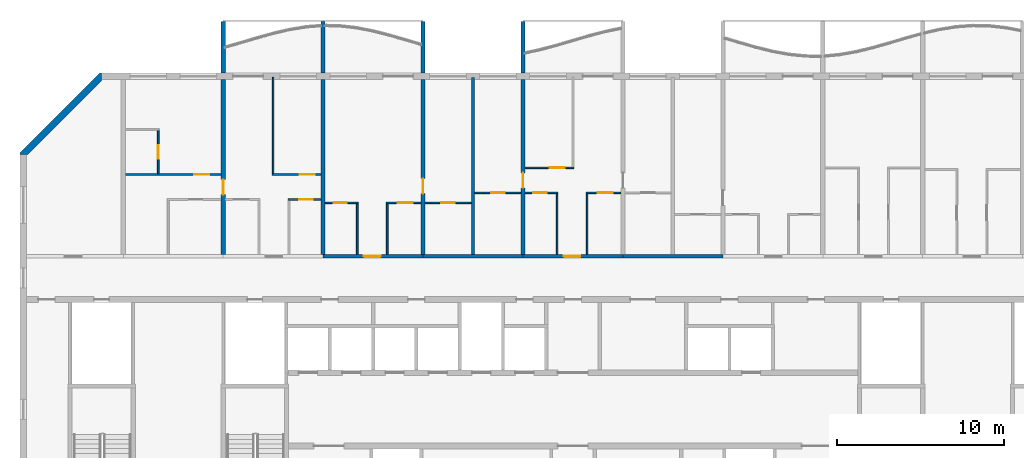
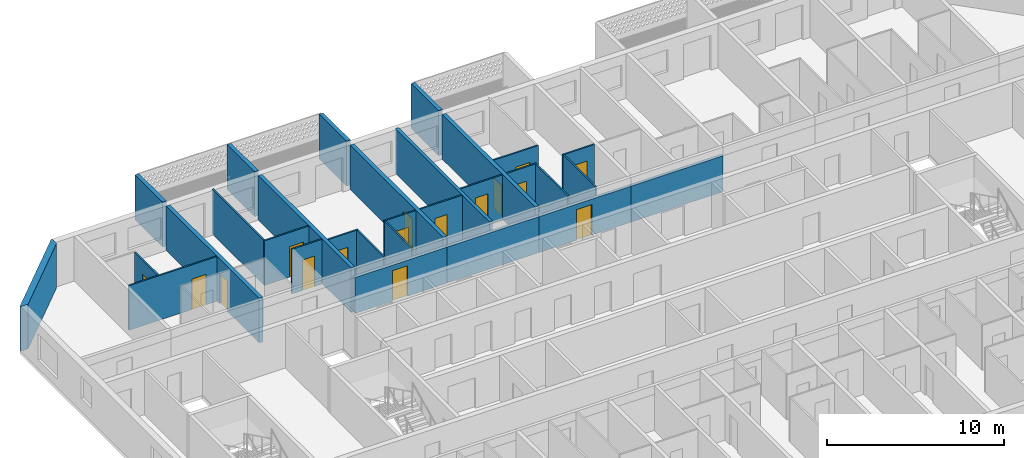
# One storey, part 8 of 26: 30 walls, 16 doors, 16 openings.
"""IFC4 building model written with IfcOpenShell, lengths in metres."""

import ifcopenshell
import ifcopenshell.guid

model = None  # the IFC model being written
_history = None  # IfcOwnerHistory: only IFC2X3 demands one
_inside = {}  # id of a spatial element -> (the spatial element, [elements in it])
_under = {}  # id of a project, library or spatial element -> (it, [spatial elements below it])
_declared = {}  # id of a project -> (the project, [libraries it declares])
_typed = {}  # id of a type object -> (the type object, [elements of that type])
_made_of = {}  # id of a material, layer set ... -> (it, [elements and type objects made of it])


def new_model(schema):
    """Start an empty IFC model of exactly this schema.

    Asked for "IFC4X3", IfcOpenShell would pick the latest addendum, in which some entities
    have other attributes; the version numbers below select the first issue.
    IFC2X3 requires an IfcOwnerHistory on every rooted entity: one is made here for all.
    """
    global model, _history
    if schema == "IFC4X3":
        model = ifcopenshell.file(schema_version=(4, 3, 0, 0))
    else:
        model = ifcopenshell.file(schema=schema)
    _inside.clear()
    _under.clear()
    _declared.clear()
    _typed.clear()
    _made_of.clear()
    _history = None
    if model.schema == "IFC2X3":
        org = make("IfcOrganization", Name="unknown")
        user = make(
            "IfcPersonAndOrganization",
            ThePerson=make("IfcPerson", FamilyName="unknown"),
            TheOrganization=org,
        )
        app = make(
            "IfcApplication",
            ApplicationDeveloper=org,
            Version="unknown",
            ApplicationFullName="unknown",
            ApplicationIdentifier="unknown",
        )
        _history = make(
            "IfcOwnerHistory",
            OwningUser=user,
            OwningApplication=app,
            ChangeAction="ADDED",
            CreationDate=0,
        )
    return model


def make(cls, **values):
    """One entity of the class cls with the attributes given. An attribute that is None is left unset."""
    return model.create_entity(
        cls, **{name: value for name, value in values.items() if value is not None}
    )


def rooted(cls, **values):
    """An entity with a GlobalId (a new one), such as an element, a storey or a relation."""
    return make(cls, GlobalId=ifcopenshell.guid.new(), OwnerHistory=_history, **values)


def si_unit(unit_type, name, prefix=None):
    """IfcSIUnit, for example si_unit("LENGTHUNIT", "METRE", prefix="MILLI")."""
    return make("IfcSIUnit", UnitType=unit_type, Prefix=prefix, Name=name)


def assignment(units):
    """IfcUnitAssignment: the units of a project."""
    return None if units is None else make("IfcUnitAssignment", Units=units)


def point(xyz):
    """IfcCartesianPoint."""
    return None if xyz is None else make("IfcCartesianPoint", Coordinates=xyz)


def direction(xyz):
    """IfcDirection."""
    return None if xyz is None else make("IfcDirection", DirectionRatios=xyz)


def frame(location, z_axis=None, x_axis=None):
    """IfcAxis2Placement3D, a coordinate frame: its origin and axes. An axis left out is left unset."""
    return make(
        "IfcAxis2Placement3D",
        Location=point(location),
        Axis=direction(z_axis),
        RefDirection=direction(x_axis),
    )


def frame_2d(location, x_axis=None):
    """IfcAxis2Placement2D, a coordinate frame in the plane: its origin and x axis."""
    return make(
        "IfcAxis2Placement2D", Location=point(location), RefDirection=direction(x_axis)
    )


def origin():
    """The frame at (0, 0, 0) with its axes left unset."""
    return frame((0.0, 0.0, 0.0))


def place(relative_to, where):
    """IfcLocalPlacement: puts the frame where relative to a parent placement (None: the world)."""
    return make(
        "IfcLocalPlacement", PlacementRelTo=relative_to, RelativePlacement=where
    )


def context(
    kind, dimensions, precision=None, world=None, true_north=None, identifier=None
):
    """IfcGeometricRepresentationContext, for example the 3D "Model" context."""
    return make(
        "IfcGeometricRepresentationContext",
        ContextIdentifier=identifier,
        ContextType=kind,
        CoordinateSpaceDimension=dimensions,
        Precision=precision,
        WorldCoordinateSystem=world,
        TrueNorth=true_north,
    )


def subcontext(parent, identifier, kind, view, scale=None):
    """IfcGeometricRepresentationSubContext, for example "Body" below "Model"."""
    return make(
        "IfcGeometricRepresentationSubContext",
        ContextIdentifier=identifier,
        ContextType=kind,
        ParentContext=parent,
        TargetScale=scale,
        TargetView=view,
    )


def project(units=None, contexts=None):
    """IfcProject with its units and contexts."""
    return rooted(
        "IfcProject",
        Name="project",
        RepresentationContexts=contexts,
        UnitsInContext=assignment(units),
    )


def spatial(cls, under=None, at=None, **own):
    """A site, building, storey or space (cls), placed at a placement, below another one or the project."""
    s = rooted(cls, ObjectPlacement=at, **own)
    if under is not None:
        _under.setdefault(under.id(), (under, []))[1].append(s)
    return s


def polyline(points):
    """IfcPolyline through the points."""
    return make("IfcPolyline", Points=[point(p) for p in points])


def profile(cls, at=None, kind="AREA", **sizes):
    """A parametric profile (cls). Its sizes go by their IFC names, for example OverallWidth=200.0."""
    return make(cls, ProfileType=kind, Position=at, **sizes)


def rectangle(**sizes):
    """IfcRectangleProfileDef."""
    return profile("IfcRectangleProfileDef", **sizes)


def outline(outer, holes=None, kind="AREA"):
    """IfcArbitraryClosedProfileDef: a profile drawn as a closed curve; with holes, ...WithVoids."""
    if holes is None:
        return make("IfcArbitraryClosedProfileDef", ProfileType=kind, OuterCurve=outer)
    return make(
        "IfcArbitraryProfileDefWithVoids",
        ProfileType=kind,
        OuterCurve=outer,
        InnerCurves=holes,
    )


def extrude(swept, where, along, depth):
    """IfcExtrudedAreaSolid: the profile swept, set in the frame where, extruded along a direction by depth."""
    return make(
        "IfcExtrudedAreaSolid",
        SweptArea=swept,
        Position=where,
        ExtrudedDirection=direction(along),
        Depth=depth,
    )


def shape(context_of_items, identifier, shape_type, items):
    """IfcShapeRepresentation: the items that make up one representation, for example the "Body"."""
    return make(
        "IfcShapeRepresentation",
        ContextOfItems=context_of_items,
        RepresentationIdentifier=identifier,
        RepresentationType=shape_type,
        Items=items,
    )


def source(mapping_origin, context_of_items, identifier, shape_type, items):
    """IfcRepresentationMap: a shape defined once, which mapped items show again and again."""
    return make(
        "IfcRepresentationMap",
        MappingOrigin=mapping_origin,
        MappedRepresentation=shape(context_of_items, identifier, shape_type, items),
    )


def transform(
    local_origin,
    x_axis=None,
    y_axis=None,
    z_axis=None,
    scale=None,
    scale2=None,
    scale3=None,
    uniform=True,
):
    """IfcCartesianTransformationOperator3D, or its non-uniform kind. x_axis, y_axis, z_axis: its Axis1, 2, 3."""
    if uniform:
        return make(
            "IfcCartesianTransformationOperator3D",
            Axis1=direction(x_axis),
            Axis2=direction(y_axis),
            LocalOrigin=point(local_origin),
            Scale=scale,
            Axis3=direction(z_axis),
        )
    return make(
        "IfcCartesianTransformationOperator3DnonUniform",
        Axis1=direction(x_axis),
        Axis2=direction(y_axis),
        LocalOrigin=point(local_origin),
        Scale=scale,
        Axis3=direction(z_axis),
        Scale2=scale2,
        Scale3=scale3,
    )


def mapped(mapping_source, mapping_target):
    """IfcMappedItem: shows the shape of a source again, moved by a transform."""
    return make(
        "IfcMappedItem", MappingSource=mapping_source, MappingTarget=mapping_target
    )


def material(Name=None, Category=None):
    """IfcMaterial."""
    return make("IfcMaterial", Name=Name, Category=Category)


def layer(
    of_material, thickness, ventilated=None, Name=None, Category=None, Priority=None
):
    """IfcMaterialLayer: one layer of a wall or slab, of a material (None: an air gap)."""
    return make(
        "IfcMaterialLayer",
        Material=of_material,
        LayerThickness=thickness,
        IsVentilated=ventilated,
        Name=Name,
        Category=Category,
        Priority=Priority,
    )


def layer_set(layers, Name=None):
    """IfcMaterialLayerSet."""
    return make("IfcMaterialLayerSet", MaterialLayers=layers, LayerSetName=Name)


def made_of(thing, what):
    """Note that an element or type object is made of a material, layer set ...; save() writes the relation."""
    if what is not None:
        _made_of.setdefault(what.id(), (what, []))[1].append(thing)
    return thing


def type_object(cls, material=None, **own):
    """A type object (cls), such as IfcWallType, which elements share."""
    return made_of(rooted(cls, **own), material)


def element(
    cls,
    number,
    at=None,
    inside=None,
    cuts=None,
    type_object=None,
    material=None,
    context=None,
    identifier="Body",
    shape_type=None,
    held_by="IfcProductDefinitionShape",
    body=None,
    shapes=None,
    **own,
):
    """One element of the class cls, such as IfcWall. Its Tag is "e" and its number.

    at: its placement. inside: the storey or other place that contains it. cuts: it is an
    opening in that element (IfcRelVoidsElement). A single representation is given by context,
    identifier, shape_type and body (its items); several are given by shapes. held_by: the class
    of the entity that holds the representations. save() writes the other relations.
    """
    e = rooted(cls, Tag="e%d" % number, ObjectPlacement=at, **own)
    if body is not None:
        shapes = [shape(context, identifier, shape_type, body)]
    if shapes is not None:
        e.Representation = make(held_by, Representations=shapes)
    if inside is not None:
        _inside.setdefault(inside.id(), (inside, []))[1].append(e)
    if cuts is not None:
        rooted(
            "IfcRelVoidsElement", RelatingBuildingElement=cuts, RelatedOpeningElement=e
        )
    if type_object is not None:
        _typed.setdefault(type_object.id(), (type_object, []))[1].append(e)
    return made_of(e, material)


def fill(opening, filler):
    """IfcRelFillsElement: the door or window that sits in an opening."""
    return rooted(
        "IfcRelFillsElement",
        RelatingOpeningElement=opening,
        RelatedBuildingElement=filler,
    )


def aggregate(whole, parts):
    """IfcRelAggregates: a whole, such as a stair, and the parts it consists of."""
    return rooted("IfcRelAggregates", RelatingObject=whole, RelatedObjects=parts)


def save(model, path):
    """Write the relations noted so far, then the file.

    IfcRelAggregates (storeys below a building ...), IfcRelContainedInSpatialStructure (elements
    in a storey), IfcRelDefinesByType, IfcRelAssociatesMaterial and IfcRelDeclares: one each for
    every whole, place, type object, material and project.
    """
    for whole, parts in _under.values():
        aggregate(whole, parts)
    for where, things in _inside.values():
        rooted(
            "IfcRelContainedInSpatialStructure",
            RelatedElements=things,
            RelatingStructure=where,
        )
    for kind, things in _typed.values():
        rooted("IfcRelDefinesByType", RelatedObjects=things, RelatingType=kind)
    for what, things in _made_of.values():
        rooted("IfcRelAssociatesMaterial", RelatedObjects=things, RelatingMaterial=what)
    for by, libraries in _declared.values():
        rooted("IfcRelDeclares", RelatingContext=by, RelatedDefinitions=libraries)
    model.write(path)


model = new_model("IFC4")

# Units and contexts
model_context = context("Model", 3, precision=1e-05, world=origin(), true_north=direction((0.0, 1.0)))
body_context = subcontext(model_context, "Body", "Model", "MODEL_VIEW")
ifc_project = project(units=[si_unit("LENGTHUNIT", "METRE"), si_unit("AREAUNIT", "SQUARE_METRE"), si_unit("VOLUMEUNIT", "CUBIC_METRE"), si_unit("PLANEANGLEUNIT", "RADIAN"), si_unit("MASSUNIT", "GRAM", prefix="KILO")], contexts=[model_context])

# Site, building, storey
site_placement = place(None, origin())
site = spatial("IfcSite", under=ifc_project, at=site_placement, CompositionType="ELEMENT")
building_placement = place(site_placement, origin())
building = spatial("IfcBuilding", under=site, at=building_placement, Name="Poui Terraces", CompositionType="ELEMENT")
storey_placement = place(building_placement, frame((0.0, 0.0, 228.0)))
storey = spatial("IfcBuildingStorey", under=building, at=storey_placement, Name="L63", CompositionType="ELEMENT", Elevation=228.0)

# Wall, opening, door
ifc_material_1 = material(Name="Concrete 50 MPa", Category="concrete")
ifc_layer_1 = layer(ifc_material_1, 0.199951171875)
ifc_layer_set_1 = layer_set([ifc_layer_1], Name="Concrete 50 MPa")
wall_type_1 = type_object("IfcWallType", Name="CORRIDOR WALL 200 50MPa", PredefinedType="SHEAR", material=ifc_layer_set_1)
wall_1_placement = place(storey_placement, frame((36.0, 30.39990234375, 0.0), z_axis=(0.0, 0.0, 1.0), x_axis=(1.0, 0.0, 0.0)))
wall_1 = element("IfcWall", 1, at=wall_1_placement, inside=storey, type_object=wall_type_1, Name="CORRIDOR WALL LINE E BAY 4", PredefinedType="SHEAR", context=body_context, shape_type="SweptSolid", body=[
    extrude(rectangle(XDim=6.0, YDim=0.199951171875, at=frame_2d((3.0, 0.0))), origin(), (0.0, 0.0, 1.0), 2.47998046875),
])
opening_1_placement = place(wall_1_placement, frame((2.449951171875, 0.0, 0.0)))
opening_1 = element("IfcOpeningElement", 2, at=opening_1_placement, cuts=wall_1, Name="Opening FD30S", PredefinedType="OPENING", context=body_context, shape_type="SweptSolid", body=[
    extrude(rectangle(XDim=1.0, YDim=2.10009765625, at=frame_2d((0.5, 1.050048828125))), frame((0.0, 0.10986328125, 0.0), z_axis=(0.0, -1.0, 0.0), x_axis=(1.0, 0.0, 0.0)), (0.0, 0.0, 1.0), 0.219970703125),
])
ifc_material_2 = material(Name="Steel fire door", Category="steel")
door_type_1 = type_object("IfcDoorType", Name="FLAT ENTRANCE DOOR 1000 X 2100", OperationType="NOTDEFINED", PredefinedType="DOOR", material=ifc_material_2)
door_1_placement = place(opening_1_placement, origin())
door_1 = element("IfcDoor", 3, at=door_1_placement, inside=storey, type_object=door_type_1, Name="FLAT ENTRANCE DOOR 035", OperationType="SINGLE_SWING_LEFT", OverallHeight=2.10009765625, OverallWidth=1.0, PredefinedType="DOOR", context=body_context, shape_type="SweptSolid", body=[
    extrude(rectangle(XDim=1.0, YDim=2.10009765625, at=frame_2d((0.5, 1.050048828125))), frame((0.0, 0.02490234375, 0.0), z_axis=(0.0, -1.0, 0.0), x_axis=(1.0, 0.0, 0.0)), (0.0, 0.0, 1.0), 0.050048828125),
])
fill(opening_1, door_1)

# Wall
wall_2_placement = place(storey_placement, frame((42.0, 30.39990234375, 0.0), z_axis=(0.0, 0.0, 1.0), x_axis=(1.0, 0.0, 0.0)))
element("IfcWall", 4, at=wall_2_placement, inside=storey, type_object=wall_type_1, Name="CORRIDOR WALL LINE E BAY 5", PredefinedType="SHEAR", context=body_context, shape_type="SweptSolid", body=[
    extrude(rectangle(XDim=6.0, YDim=0.199951171875, at=frame_2d((3.0, 0.0))), origin(), (0.0, 0.0, 1.0), 2.47998046875),
])

# Wall, opening, door
wall_3_placement = place(storey_placement, frame((48.0, 30.39990234375, 0.0), z_axis=(0.0, 0.0, 1.0), x_axis=(1.0, 0.0, 0.0)))
wall_3 = element("IfcWall", 5, at=wall_3_placement, inside=storey, type_object=wall_type_1, Name="CORRIDOR WALL LINE E BAY 6", PredefinedType="SHEAR", context=body_context, shape_type="SweptSolid", body=[
    extrude(rectangle(XDim=6.0, YDim=0.199951171875, at=frame_2d((3.0, 0.0))), origin(), (0.0, 0.0, 1.0), 2.47998046875),
])
opening_2_placement = place(wall_3_placement, frame((2.449951171875, 0.0, 0.0)))
opening_2 = element("IfcOpeningElement", 6, at=opening_2_placement, cuts=wall_3, Name="Opening FD30S", PredefinedType="OPENING", context=body_context, shape_type="SweptSolid", body=[
    extrude(rectangle(XDim=1.0, YDim=2.10009765625, at=frame_2d((0.5, 1.050048828125))), frame((0.0, 0.10986328125, 0.0), z_axis=(0.0, -1.0, 0.0), x_axis=(1.0, 0.0, 0.0)), (0.0, 0.0, 1.0), 0.219970703125),
])
door_2_placement = place(opening_2_placement, origin())
door_2 = element("IfcDoor", 7, at=door_2_placement, inside=storey, type_object=door_type_1, Name="FLAT ENTRANCE DOOR 043", OperationType="SINGLE_SWING_LEFT", OverallHeight=2.10009765625, OverallWidth=1.0, PredefinedType="DOOR", context=body_context, shape_type="SweptSolid", body=[
    extrude(rectangle(XDim=1.0, YDim=2.10009765625, at=frame_2d((0.5, 1.050048828125))), frame((0.0, 0.02490234375, 0.0), z_axis=(0.0, -1.0, 0.0), x_axis=(1.0, 0.0, 0.0)), (0.0, 0.0, 1.0), 0.050048828125),
])
fill(opening_2, door_2)

# Wall
wall_4_placement = place(storey_placement, frame((54.0, 30.39990234375, 0.0), z_axis=(0.0, 0.0, 1.0), x_axis=(1.0, 0.0, 0.0)))
element("IfcWall", 8, at=wall_4_placement, inside=storey, type_object=wall_type_1, Name="CORRIDOR WALL LINE E BAY 7", PredefinedType="SHEAR", context=body_context, shape_type="SweptSolid", body=[
    extrude(rectangle(XDim=6.0, YDim=0.199951171875, at=frame_2d((3.0, 0.0))), origin(), (0.0, 0.0, 1.0), 2.47998046875),
])

# Wall, opening, door
ifc_layer_2 = layer(ifc_material_1, 0.25)
ifc_layer_set_2 = layer_set([ifc_layer_2], Name="Concrete 50 MPa")
wall_type_2 = type_object("IfcWallType", Name="CROSS WALL 250 50MPa", PredefinedType="SHEAR", material=ifc_layer_set_2)
wall_5_placement = place(storey_placement, frame((30.0, 30.5, 0.0), z_axis=(0.0, 0.0, 1.0), x_axis=(0.0, 1.0, 0.0)))
wall_5 = element("IfcWall", 9, at=wall_5_placement, inside=storey, type_object=wall_type_2, Name="CROSS WALL LINE 6 NORTH", PredefinedType="SHEAR", context=body_context, shape_type="SweptSolid", body=[
    extrude(rectangle(XDim=10.5, YDim=0.25, at=frame_2d((5.25, 0.0))), origin(), (0.0, 0.0, 1.0), 3.080078125),
])
opening_3_placement = place(wall_5_placement, frame((3.60009765625, 0.0, 0.0)))
opening_3 = element("IfcOpeningElement", 10, at=opening_3_placement, cuts=wall_5, Name="Opening D90", PredefinedType="OPENING", context=body_context, shape_type="SweptSolid", body=[
    extrude(rectangle(XDim=0.89990234375, YDim=2.10009765625, at=frame_2d((0.449951171875, 1.050048828125))), frame((0.0, 0.135009765625, 0.0), z_axis=(0.0, -1.0, 0.0), x_axis=(1.0, 0.0, 0.0)), (0.0, 0.0, 1.0), 0.27001953125),
])
ifc_material_3 = material(Name="Solid core timber door", Category="wood")
door_type_2 = type_object("IfcDoorType", Name="INTERNAL DOOR 900 X 2100", OperationType="NOTDEFINED", PredefinedType="DOOR", material=ifc_material_3)
door_3_placement = place(opening_3_placement, frame((0.89990234375, 0.0, 0.0), z_axis=(0.0, 0.0, 1.0), x_axis=(-1.0, 0.0, 0.0)))
door_3 = element("IfcDoor", 11, at=door_3_placement, inside=storey, type_object=door_type_2, Name="INTERNAL DOOR 027", OperationType="SINGLE_SWING_RIGHT", OverallHeight=2.10009765625, OverallWidth=0.89990234375, PredefinedType="DOOR", context=body_context, shape_type="SweptSolid", body=[
    extrude(rectangle(XDim=0.89990234375, YDim=2.10009765625, at=frame_2d((0.449951171875, 1.050048828125))), frame((0.0, 0.02490234375, 0.0), z_axis=(0.0, -1.0, 0.0), x_axis=(1.0, 0.0, 0.0)), (0.0, 0.0, 1.0), 0.050048828125),
])
fill(opening_3, door_3)

# Wall
wall_6_placement = place(storey_placement, frame((36.0, 30.5, 0.0), z_axis=(0.0, 0.0, 1.0), x_axis=(0.0, 1.0, 0.0)))
element("IfcWall", 12, at=wall_6_placement, inside=storey, type_object=wall_type_2, Name="CROSS WALL LINE 7 NORTH", PredefinedType="SHEAR", context=body_context, shape_type="SweptSolid", body=[
    extrude(rectangle(XDim=10.5, YDim=0.25, at=frame_2d((5.25, 0.0))), origin(), (0.0, 0.0, 1.0), 3.080078125),
])

# Wall, opening, door
wall_7_placement = place(storey_placement, frame((42.0, 30.5, 0.0), z_axis=(0.0, 0.0, 1.0), x_axis=(0.0, 1.0, 0.0)))
wall_7 = element("IfcWall", 13, at=wall_7_placement, inside=storey, type_object=wall_type_2, Name="CROSS WALL LINE 8 NORTH", PredefinedType="SHEAR", context=body_context, shape_type="SweptSolid", body=[
    extrude(rectangle(XDim=10.5, YDim=0.25, at=frame_2d((5.25, 0.0))), origin(), (0.0, 0.0, 1.0), 3.080078125),
])
opening_4_placement = place(wall_7_placement, frame((3.64990234375, 0.0, 0.0)))
opening_4 = element("IfcOpeningElement", 14, at=opening_4_placement, cuts=wall_7, Name="Opening D90", PredefinedType="OPENING", context=body_context, shape_type="SweptSolid", body=[
    extrude(rectangle(XDim=0.89990234375, YDim=2.10009765625, at=frame_2d((0.449951171875, 1.050048828125))), frame((0.0, 0.135009765625, 0.0), z_axis=(0.0, -1.0, 0.0), x_axis=(1.0, 0.0, 0.0)), (0.0, 0.0, 1.0), 0.27001953125),
])
door_4_placement = place(opening_4_placement, frame((0.89990234375, 0.0, 0.0), z_axis=(0.0, 0.0, 1.0), x_axis=(-1.0, 0.0, 0.0)))
door_4 = element("IfcDoor", 15, at=door_4_placement, inside=storey, type_object=door_type_2, Name="INTERNAL DOOR 037", OperationType="SINGLE_SWING_RIGHT", OverallHeight=2.10009765625, OverallWidth=0.89990234375, PredefinedType="DOOR", context=body_context, shape_type="SweptSolid", body=[
    extrude(rectangle(XDim=0.89990234375, YDim=2.10009765625, at=frame_2d((0.449951171875, 1.050048828125))), frame((0.0, 0.02490234375, 0.0), z_axis=(0.0, -1.0, 0.0), x_axis=(1.0, 0.0, 0.0)), (0.0, 0.0, 1.0), 0.050048828125),
])
fill(opening_4, door_4)

wall_8_placement = place(storey_placement, frame((48.0, 30.5, 0.0), z_axis=(0.0, 0.0, 1.0), x_axis=(0.0, 1.0, 0.0)))
wall_8 = element("IfcWall", 16, at=wall_8_placement, inside=storey, type_object=wall_type_2, Name="CROSS WALL LINE 9 NORTH", PredefinedType="SHEAR", context=body_context, shape_type="SweptSolid", body=[
    extrude(rectangle(XDim=10.5, YDim=0.25, at=frame_2d((5.25, 0.0))), origin(), (0.0, 0.0, 1.0), 3.080078125),
])
opening_5_placement = place(wall_8_placement, frame((4.0, 0.0, 0.0)))
opening_5 = element("IfcOpeningElement", 17, at=opening_5_placement, cuts=wall_8, Name="Opening D90", PredefinedType="OPENING", context=body_context, shape_type="SweptSolid", body=[
    extrude(rectangle(XDim=0.89990234375, YDim=2.10009765625, at=frame_2d((0.449951171875, 1.050048828125))), frame((0.0, 0.135009765625, 0.0), z_axis=(0.0, -1.0, 0.0), x_axis=(1.0, 0.0, 0.0)), (0.0, 0.0, 1.0), 0.27001953125),
])
door_5_placement = place(opening_5_placement, origin())
door_5 = element("IfcDoor", 18, at=door_5_placement, inside=storey, type_object=door_type_2, Name="INTERNAL DOOR 040", OperationType="SINGLE_SWING_LEFT", OverallHeight=2.10009765625, OverallWidth=0.89990234375, PredefinedType="DOOR", context=body_context, shape_type="SweptSolid", body=[
    extrude(rectangle(XDim=0.89990234375, YDim=2.10009765625, at=frame_2d((0.449951171875, 1.050048828125))), frame((0.0, 0.02490234375, 0.0), z_axis=(0.0, -1.0, 0.0), x_axis=(1.0, 0.0, 0.0)), (0.0, 0.0, 1.0), 0.050048828125),
])
fill(opening_5, door_5)

ifc_material_4 = material(Name="Plasterboard partition")
ifc_layer_3 = layer(ifc_material_4, 0.10009765625)
ifc_layer_set_3 = layer_set([ifc_layer_3], Name="Plasterboard partition")
wall_type_3 = type_object("IfcWallType", Name="FLAT PARTITION 100", PredefinedType="PARTITIONING", material=ifc_layer_set_3)
wall_9_placement = place(storey_placement, frame((36.135009765625, 33.60009765625, 0.0), z_axis=(0.0, 0.0, 1.0), x_axis=(1.0, 0.0, 0.0)))
wall_9 = element("IfcWall", 19, at=wall_9_placement, inside=storey, type_object=wall_type_3, Name="FLAT PARTITION 100", PredefinedType="PARTITIONING", context=body_context, shape_type="SweptSolid", body=[
    extrude(rectangle(XDim=1.965087890625, YDim=0.10009765625, at=frame_2d((0.982421875, 0.0))), origin(), (0.0, 0.0, 1.0), 3.080078125),
])
opening_6_placement = place(wall_9_placement, frame((0.489990234375, 0.0, 0.0)))
opening_6 = element("IfcOpeningElement", 20, at=opening_6_placement, cuts=wall_9, Name="Opening D80", PredefinedType="OPENING", context=body_context, shape_type="SweptSolid", body=[
    extrude(rectangle(XDim=0.800048828125, YDim=2.10009765625, at=frame_2d((0.39990234375, 1.050048828125))), frame((0.0, 0.06005859375, 0.0), z_axis=(0.0, -1.0, 0.0), x_axis=(1.0, 0.0, 0.0)), (0.0, 0.0, 1.0), 0.1201171875),
])
door_type_3 = type_object("IfcDoorType", Name="BATHROOM, LAUNDRY AND STORE DOOR 800 X 2100", OperationType="NOTDEFINED", PredefinedType="DOOR", material=ifc_material_3)
door_6_placement = place(opening_6_placement, frame((0.800048828125, 0.0, 0.0), z_axis=(0.0, 0.0, 1.0), x_axis=(-1.0, 0.0, 0.0)))
door_6 = element("IfcDoor", 21, at=door_6_placement, inside=storey, type_object=door_type_3, Name="BATHROOM, LAUNDRY AND STORE DOOR 034", OperationType="SINGLE_SWING_LEFT", OverallHeight=2.10009765625, OverallWidth=0.800048828125, PredefinedType="DOOR", context=body_context, shape_type="SweptSolid", body=[
    extrude(rectangle(XDim=0.800048828125, YDim=2.10009765625, at=frame_2d((0.39990234375, 1.050048828125))), frame((0.0, 0.02490234375, 0.0), z_axis=(0.0, -1.0, 0.0), x_axis=(1.0, 0.0, 0.0)), (0.0, 0.0, 1.0), 0.050048828125),
])
fill(opening_6, door_6)

wall_10_placement = place(storey_placement, frame((39.800048828125, 33.60009765625, 0.0), z_axis=(0.0, 0.0, 1.0), x_axis=(1.0, 0.0, 0.0)))
wall_10 = element("IfcWall", 22, at=wall_10_placement, inside=storey, type_object=wall_type_3, Name="FLAT PARTITION 100", PredefinedType="PARTITIONING", context=body_context, shape_type="SweptSolid", body=[
    extrude(rectangle(XDim=2.06494140625, YDim=0.10009765625, at=frame_2d((1.032470703125, 0.0))), origin(), (0.0, 0.0, 1.0), 3.080078125),
])
opening_7_placement = place(wall_10_placement, frame((0.675048828125, 0.0, 0.0)))
opening_7 = element("IfcOpeningElement", 23, at=opening_7_placement, cuts=wall_10, Name="Opening D90", PredefinedType="OPENING", context=body_context, shape_type="SweptSolid", body=[
    extrude(rectangle(XDim=0.89990234375, YDim=2.10009765625, at=frame_2d((0.449951171875, 1.050048828125))), frame((0.0, 0.06005859375, 0.0), z_axis=(0.0, -1.0, 0.0), x_axis=(1.0, 0.0, 0.0)), (0.0, 0.0, 1.0), 0.1201171875),
])
door_7_placement = place(opening_7_placement, frame((0.89990234375, 0.0, 0.0), z_axis=(0.0, 0.0, 1.0), x_axis=(-1.0, 0.0, 0.0)))
door_7 = element("IfcDoor", 24, at=door_7_placement, inside=storey, type_object=door_type_2, Name="INTERNAL DOOR 036", OperationType="SINGLE_SWING_RIGHT", OverallHeight=2.10009765625, OverallWidth=0.89990234375, PredefinedType="DOOR", context=body_context, shape_type="SweptSolid", body=[
    extrude(rectangle(XDim=0.89990234375, YDim=2.10009765625, at=frame_2d((0.449951171875, 1.050048828125))), frame((0.0, 0.02490234375, 0.0), z_axis=(0.0, -1.0, 0.0), x_axis=(1.0, 0.0, 0.0)), (0.0, 0.0, 1.0), 0.050048828125),
])
fill(opening_7, door_7)

wall_11_placement = place(storey_placement, frame((42.135009765625, 33.60009765625, 0.0), z_axis=(0.0, 0.0, 1.0), x_axis=(1.0, 0.0, 0.0)))
wall_11 = element("IfcWall", 25, at=wall_11_placement, inside=storey, type_object=wall_type_3, Name="FLAT PARTITION 100", PredefinedType="PARTITIONING", context=body_context, shape_type="SweptSolid", body=[
    extrude(rectangle(XDim=2.764892578125, YDim=0.10009765625, at=frame_2d((1.38232421875, 0.0))), origin(), (0.0, 0.0, 1.0), 3.080078125),
])
opening_8_placement = place(wall_11_placement, frame((0.965087890625, 0.0, 0.0)))
opening_8 = element("IfcOpeningElement", 26, at=opening_8_placement, cuts=wall_11, Name="Opening D80", PredefinedType="OPENING", context=body_context, shape_type="SweptSolid", body=[
    extrude(rectangle(XDim=0.800048828125, YDim=2.10009765625, at=frame_2d((0.39990234375, 1.050048828125))), frame((0.0, 0.06005859375, 0.0), z_axis=(0.0, -1.0, 0.0), x_axis=(1.0, 0.0, 0.0)), (0.0, 0.0, 1.0), 0.1201171875),
])
door_8_placement = place(opening_8_placement, frame((0.800048828125, 0.0, 0.0), z_axis=(0.0, 0.0, 1.0), x_axis=(-1.0, 0.0, 0.0)))
door_8 = element("IfcDoor", 27, at=door_8_placement, inside=storey, type_object=door_type_3, Name="BATHROOM, LAUNDRY AND STORE DOOR 033", OperationType="SINGLE_SWING_RIGHT", OverallHeight=2.10009765625, OverallWidth=0.800048828125, PredefinedType="DOOR", context=body_context, shape_type="SweptSolid", body=[
    extrude(rectangle(XDim=0.800048828125, YDim=2.10009765625, at=frame_2d((0.39990234375, 1.050048828125))), frame((0.0, 0.02490234375, 0.0), z_axis=(0.0, -1.0, 0.0), x_axis=(1.0, 0.0, 0.0)), (0.0, 0.0, 1.0), 0.050048828125),
])
fill(opening_8, door_8)

wall_12_placement = place(storey_placement, frame((33.89990234375, 33.800048828125, 0.0), z_axis=(0.0, 0.0, 1.0), x_axis=(1.0, 0.0, 0.0)))
wall_12 = element("IfcWall", 28, at=wall_12_placement, inside=storey, type_object=wall_type_3, Name="FLAT PARTITION 100", PredefinedType="PARTITIONING", context=body_context, shape_type="SweptSolid", body=[
    extrude(rectangle(XDim=1.965087890625, YDim=0.10009765625, at=frame_2d((0.982421875, 0.0))), origin(), (0.0, 0.0, 1.0), 3.080078125),
])
opening_9_placement = place(wall_12_placement, frame((0.675048828125, 0.0, 0.0)))
opening_9 = element("IfcOpeningElement", 29, at=opening_9_placement, cuts=wall_12, Name="Opening D80", PredefinedType="OPENING", context=body_context, shape_type="SweptSolid", body=[
    extrude(rectangle(XDim=0.800048828125, YDim=2.10009765625, at=frame_2d((0.39990234375, 1.050048828125))), frame((0.0, 0.06005859375, 0.0), z_axis=(0.0, -1.0, 0.0), x_axis=(1.0, 0.0, 0.0)), (0.0, 0.0, 1.0), 0.1201171875),
])
door_9_placement = place(opening_9_placement, frame((0.800048828125, 0.0, 0.0), z_axis=(0.0, 0.0, 1.0), x_axis=(-1.0, 0.0, 0.0)))
door_9 = element("IfcDoor", 30, at=door_9_placement, inside=storey, type_object=door_type_3, Name="BATHROOM, LAUNDRY AND STORE DOOR 030", OperationType="SINGLE_SWING_LEFT", OverallHeight=2.10009765625, OverallWidth=0.800048828125, PredefinedType="DOOR", context=body_context, shape_type="SweptSolid", body=[
    extrude(rectangle(XDim=0.800048828125, YDim=2.10009765625, at=frame_2d((0.39990234375, 1.050048828125))), frame((0.0, 0.02490234375, 0.0), z_axis=(0.0, -1.0, 0.0), x_axis=(1.0, 0.0, 0.0)), (0.0, 0.0, 1.0), 0.050048828125),
])
fill(opening_9, door_9)

wall_13_placement = place(storey_placement, frame((45.10009765625, 34.199951171875, 0.0), z_axis=(0.0, 0.0, 1.0), x_axis=(1.0, 0.0, 0.0)))
wall_13 = element("IfcWall", 31, at=wall_13_placement, inside=storey, type_object=wall_type_3, Name="FLAT PARTITION 100", PredefinedType="PARTITIONING", context=body_context, shape_type="SweptSolid", body=[
    extrude(rectangle(XDim=2.764892578125, YDim=0.10009765625, at=frame_2d((1.38232421875, 0.0))), origin(), (0.0, 0.0, 1.0), 3.080078125),
])
opening_10_placement = place(wall_13_placement, frame((1.0, 0.0, 0.0)))
opening_10 = element("IfcOpeningElement", 32, at=opening_10_placement, cuts=wall_13, Name="Opening D80", PredefinedType="OPENING", context=body_context, shape_type="SweptSolid", body=[
    extrude(rectangle(XDim=0.800048828125, YDim=2.10009765625, at=frame_2d((0.39990234375, 1.050048828125))), frame((0.0, 0.06005859375, 0.0), z_axis=(0.0, -1.0, 0.0), x_axis=(1.0, 0.0, 0.0)), (0.0, 0.0, 1.0), 0.1201171875),
])
door_10_placement = place(opening_10_placement, frame((0.800048828125, 0.0, 0.0), z_axis=(0.0, 0.0, 1.0), x_axis=(-1.0, 0.0, 0.0)))
door_10 = element("IfcDoor", 33, at=door_10_placement, inside=storey, type_object=door_type_3, Name="BATHROOM, LAUNDRY AND STORE DOOR 038", OperationType="SINGLE_SWING_LEFT", OverallHeight=2.10009765625, OverallWidth=0.800048828125, PredefinedType="DOOR", context=body_context, shape_type="SweptSolid", body=[
    extrude(rectangle(XDim=0.800048828125, YDim=2.10009765625, at=frame_2d((0.39990234375, 1.050048828125))), frame((0.0, 0.02490234375, 0.0), z_axis=(0.0, -1.0, 0.0), x_axis=(1.0, 0.0, 0.0)), (0.0, 0.0, 1.0), 0.050048828125),
])
fill(opening_10, door_10)

wall_14_placement = place(storey_placement, frame((48.135009765625, 34.199951171875, 0.0), z_axis=(0.0, 0.0, 1.0), x_axis=(1.0, 0.0, 0.0)))
wall_14 = element("IfcWall", 34, at=wall_14_placement, inside=storey, type_object=wall_type_3, Name="FLAT PARTITION 100", PredefinedType="PARTITIONING", context=body_context, shape_type="SweptSolid", body=[
    extrude(rectangle(XDim=1.965087890625, YDim=0.10009765625, at=frame_2d((0.982421875, 0.0))), origin(), (0.0, 0.0, 1.0), 3.080078125),
])
opening_11_placement = place(wall_14_placement, frame((0.489990234375, 0.0, 0.0)))
opening_11 = element("IfcOpeningElement", 35, at=opening_11_placement, cuts=wall_14, Name="Opening D80", PredefinedType="OPENING", context=body_context, shape_type="SweptSolid", body=[
    extrude(rectangle(XDim=0.800048828125, YDim=2.10009765625, at=frame_2d((0.39990234375, 1.050048828125))), frame((0.0, 0.06005859375, 0.0), z_axis=(0.0, -1.0, 0.0), x_axis=(1.0, 0.0, 0.0)), (0.0, 0.0, 1.0), 0.1201171875),
])
door_11_placement = place(opening_11_placement, frame((0.800048828125, 0.0, 0.0), z_axis=(0.0, 0.0, 1.0), x_axis=(-1.0, 0.0, 0.0)))
door_11 = element("IfcDoor", 36, at=door_11_placement, inside=storey, type_object=door_type_3, Name="BATHROOM, LAUNDRY AND STORE DOOR 041", OperationType="SINGLE_SWING_LEFT", OverallHeight=2.10009765625, OverallWidth=0.800048828125, PredefinedType="DOOR", context=body_context, shape_type="SweptSolid", body=[
    extrude(rectangle(XDim=0.800048828125, YDim=2.10009765625, at=frame_2d((0.39990234375, 1.050048828125))), frame((0.0, 0.02490234375, 0.0), z_axis=(0.0, -1.0, 0.0), x_axis=(1.0, 0.0, 0.0)), (0.0, 0.0, 1.0), 0.050048828125),
])
fill(opening_11, door_11)

wall_15_placement = place(storey_placement, frame((51.800048828125, 34.199951171875, 0.0), z_axis=(0.0, 0.0, 1.0), x_axis=(1.0, 0.0, 0.0)))
wall_15 = element("IfcWall", 37, at=wall_15_placement, inside=storey, type_object=wall_type_3, Name="FLAT PARTITION 100", PredefinedType="PARTITIONING", context=body_context, shape_type="SweptSolid", body=[
    extrude(rectangle(XDim=2.06494140625, YDim=0.10009765625, at=frame_2d((1.032470703125, 0.0))), origin(), (0.0, 0.0, 1.0), 3.080078125),
])
opening_12_placement = place(wall_15_placement, frame((0.675048828125, 0.0, 0.0)))
opening_12 = element("IfcOpeningElement", 38, at=opening_12_placement, cuts=wall_15, Name="Opening D90", PredefinedType="OPENING", context=body_context, shape_type="SweptSolid", body=[
    extrude(rectangle(XDim=0.89990234375, YDim=2.10009765625, at=frame_2d((0.449951171875, 1.050048828125))), frame((0.0, 0.06005859375, 0.0), z_axis=(0.0, -1.0, 0.0), x_axis=(1.0, 0.0, 0.0)), (0.0, 0.0, 1.0), 0.1201171875),
])
door_12_placement = place(opening_12_placement, frame((0.89990234375, 0.0, 0.0), z_axis=(0.0, 0.0, 1.0), x_axis=(-1.0, 0.0, 0.0)))
door_12 = element("IfcDoor", 39, at=door_12_placement, inside=storey, type_object=door_type_2, Name="INTERNAL DOOR 044", OperationType="SINGLE_SWING_RIGHT", OverallHeight=2.10009765625, OverallWidth=0.89990234375, PredefinedType="DOOR", context=body_context, shape_type="SweptSolid", body=[
    extrude(rectangle(XDim=0.89990234375, YDim=2.10009765625, at=frame_2d((0.449951171875, 1.050048828125))), frame((0.0, 0.02490234375, 0.0), z_axis=(0.0, -1.0, 0.0), x_axis=(1.0, 0.0, 0.0)), (0.0, 0.0, 1.0), 0.050048828125),
])
fill(opening_12, door_12)

wall_16_placement = place(storey_placement, frame((24.135009765625, 35.300048828125, 0.0), z_axis=(0.0, 0.0, 1.0), x_axis=(1.0, 0.0, 0.0)))
wall_16 = element("IfcWall", 40, at=wall_16_placement, inside=storey, type_object=wall_type_3, Name="FLAT PARTITION 100", PredefinedType="PARTITIONING", context=body_context, shape_type="SweptSolid", body=[
    extrude(rectangle(XDim=5.72998046875, YDim=0.10009765625, at=frame_2d((2.864990234375, 0.0))), origin(), (0.0, 0.0, 1.0), 3.080078125),
])
opening_13_placement = place(wall_16_placement, frame((4.114990234375, 0.0, 0.0)))
opening_13 = element("IfcOpeningElement", 41, at=opening_13_placement, cuts=wall_16, Name="Opening D90", PredefinedType="OPENING", context=body_context, shape_type="SweptSolid", body=[
    extrude(rectangle(XDim=0.89990234375, YDim=2.10009765625, at=frame_2d((0.449951171875, 1.050048828125))), frame((0.0, 0.06005859375, 0.0), z_axis=(0.0, -1.0, 0.0), x_axis=(1.0, 0.0, 0.0)), (0.0, 0.0, 1.0), 0.1201171875),
])
door_13_placement = place(opening_13_placement, origin())
door_13 = element("IfcDoor", 42, at=door_13_placement, inside=storey, type_object=door_type_2, Name="INTERNAL DOOR 026", OperationType="SINGLE_SWING_RIGHT", OverallHeight=2.10009765625, OverallWidth=0.89990234375, PredefinedType="DOOR", context=body_context, shape_type="SweptSolid", body=[
    extrude(rectangle(XDim=0.89990234375, YDim=2.10009765625, at=frame_2d((0.449951171875, 1.050048828125))), frame((0.0, 0.02490234375, 0.0), z_axis=(0.0, -1.0, 0.0), x_axis=(1.0, 0.0, 0.0)), (0.0, 0.0, 1.0), 0.050048828125),
])
fill(opening_13, door_13)

wall_17_placement = place(storey_placement, frame((32.949951171875, 35.300048828125, 0.0), z_axis=(0.0, 0.0, 1.0), x_axis=(1.0, 0.0, 0.0)))
wall_17 = element("IfcWall", 43, at=wall_17_placement, inside=storey, type_object=wall_type_3, Name="FLAT PARTITION 100", PredefinedType="PARTITIONING", context=body_context, shape_type="SweptSolid", body=[
    extrude(rectangle(XDim=2.9150390625, YDim=0.10009765625, at=frame_2d((1.45751953125, 0.0))), origin(), (0.0, 0.0, 1.0), 3.080078125),
])
opening_14_placement = place(wall_17_placement, frame((1.64990234375, 0.0, 0.0)))
opening_14 = element("IfcOpeningElement", 44, at=opening_14_placement, cuts=wall_17, Name="Opening D90", PredefinedType="OPENING", context=body_context, shape_type="SweptSolid", body=[
    extrude(rectangle(XDim=0.89990234375, YDim=2.10009765625, at=frame_2d((0.449951171875, 1.050048828125))), frame((0.0, 0.06005859375, 0.0), z_axis=(0.0, -1.0, 0.0), x_axis=(1.0, 0.0, 0.0)), (0.0, 0.0, 1.0), 0.1201171875),
])
door_14_placement = place(opening_14_placement, frame((0.89990234375, 0.0, 0.0), z_axis=(0.0, 0.0, 1.0), x_axis=(-1.0, 0.0, 0.0)))
door_14 = element("IfcDoor", 45, at=door_14_placement, inside=storey, type_object=door_type_2, Name="INTERNAL DOOR 031", OperationType="SINGLE_SWING_RIGHT", OverallHeight=2.10009765625, OverallWidth=0.89990234375, PredefinedType="DOOR", context=body_context, shape_type="SweptSolid", body=[
    extrude(rectangle(XDim=0.89990234375, YDim=2.10009765625, at=frame_2d((0.449951171875, 1.050048828125))), frame((0.0, 0.02490234375, 0.0), z_axis=(0.0, -1.0, 0.0), x_axis=(1.0, 0.0, 0.0)), (0.0, 0.0, 1.0), 0.050048828125),
])
fill(opening_14, door_14)

wall_18_placement = place(storey_placement, frame((48.135009765625, 35.699951171875, 0.0), z_axis=(0.0, 0.0, 1.0), x_axis=(1.0, 0.0, 0.0)))
wall_18 = element("IfcWall", 46, at=wall_18_placement, inside=storey, type_object=wall_type_3, Name="FLAT PARTITION 100", PredefinedType="PARTITIONING", context=body_context, shape_type="SweptSolid", body=[
    extrude(rectangle(XDim=2.9150390625, YDim=0.10009765625, at=frame_2d((1.45751953125, 0.0))), origin(), (0.0, 0.0, 1.0), 3.080078125),
])
opening_15_placement = place(wall_18_placement, frame((1.465087890625, 0.0, 0.0)))
opening_15 = element("IfcOpeningElement", 47, at=opening_15_placement, cuts=wall_18, Name="Opening D90", PredefinedType="OPENING", context=body_context, shape_type="SweptSolid", body=[
    extrude(rectangle(XDim=0.89990234375, YDim=2.10009765625, at=frame_2d((0.449951171875, 1.050048828125))), frame((0.0, 0.06005859375, 0.0), z_axis=(0.0, -1.0, 0.0), x_axis=(1.0, 0.0, 0.0)), (0.0, 0.0, 1.0), 0.1201171875),
])
door_15_placement = place(opening_15_placement, frame((0.89990234375, 0.0, 0.0), z_axis=(0.0, 0.0, 1.0), x_axis=(-1.0, 0.0, 0.0)))
door_15 = element("IfcDoor", 48, at=door_15_placement, inside=storey, type_object=door_type_2, Name="INTERNAL DOOR 042", OperationType="SINGLE_SWING_RIGHT", OverallHeight=2.10009765625, OverallWidth=0.89990234375, PredefinedType="DOOR", context=body_context, shape_type="SweptSolid", body=[
    extrude(rectangle(XDim=0.89990234375, YDim=2.10009765625, at=frame_2d((0.449951171875, 1.050048828125))), frame((0.0, 0.02490234375, 0.0), z_axis=(0.0, -1.0, 0.0), x_axis=(1.0, 0.0, 0.0)), (0.0, 0.0, 1.0), 0.050048828125),
])
fill(opening_15, door_15)

wall_19_placement = place(storey_placement, frame((26.10009765625, 35.35009765625, 0.0), z_axis=(0.0, 0.0, 1.0), x_axis=(0.0, 1.0, 0.0)))
wall_19 = element("IfcWall", 49, at=wall_19_placement, inside=storey, type_object=wall_type_3, Name="FLAT PARTITION 100", PredefinedType="PARTITIONING", context=body_context, shape_type="SweptSolid", body=[
    extrude(rectangle(XDim=2.599853515625, YDim=0.10009765625, at=frame_2d((1.2998046875, 0.0))), origin(), (0.0, 0.0, 1.0), 3.080078125),
])
opening_16_placement = place(wall_19_placement, frame((0.89990234375, 0.0, 0.0)))
opening_16 = element("IfcOpeningElement", 50, at=opening_16_placement, cuts=wall_19, Name="Opening D80", PredefinedType="OPENING", context=body_context, shape_type="SweptSolid", body=[
    extrude(rectangle(XDim=0.800048828125, YDim=2.10009765625, at=frame_2d((0.39990234375, 1.050048828125))), frame((0.0, 0.06005859375, 0.0), z_axis=(0.0, -1.0, 0.0), x_axis=(1.0, 0.0, 0.0)), (0.0, 0.0, 1.0), 0.1201171875),
])
door_16_placement = place(opening_16_placement, origin())
door_16 = element("IfcDoor", 51, at=door_16_placement, inside=storey, type_object=door_type_3, Name="BATHROOM, LAUNDRY AND STORE DOOR 032", OperationType="SINGLE_SWING_RIGHT", OverallHeight=2.10009765625, OverallWidth=0.800048828125, PredefinedType="DOOR", context=body_context, shape_type="SweptSolid", body=[
    extrude(rectangle(XDim=0.800048828125, YDim=2.10009765625, at=frame_2d((0.39990234375, 1.050048828125))), frame((0.0, 0.02490234375, 0.0), z_axis=(0.0, -1.0, 0.0), x_axis=(1.0, 0.0, 0.0)), (0.0, 0.0, 1.0), 0.050048828125),
])
fill(opening_16, door_16)

# Walls
wall_20_placement = place(storey_placement, frame((33.0, 35.35009765625, 0.0), z_axis=(0.0, 0.0, 1.0), x_axis=(0.0, 1.0, 0.0)))
element("IfcWall", 52, at=wall_20_placement, inside=storey, type_object=wall_type_3, Name="FLAT PARTITION 100", PredefinedType="PARTITIONING", context=body_context, shape_type="SweptSolid", body=[
    extrude(rectangle(XDim=5.789794921875, YDim=0.10009765625, at=frame_2d((2.89501953125, 0.0))), origin(), (0.0, 0.0, 1.0), 3.080078125),
])
for number, where, z_axis, x_axis, name in (
    (53, (38.050048828125, 30.510009765625, 0.0), (0.0, 0.0, 1.0), (0.0, 1.0, 0.0), "FLAT PARTITION 100"),
    (54, (39.85009765625, 30.510009765625, 0.0), (0.0, 0.0, 1.0), (0.0, 1.0, 0.0), "FLAT PARTITION 100"),
):
    element("IfcWall", number, at=place(storey_placement, frame(where, z_axis=z_axis, x_axis=x_axis)), inside=storey, type_object=wall_type_3, Name=name, PredefinedType="PARTITIONING", context=body_context, shape_type="SweptSolid", body=[
        extrude(rectangle(XDim=3.0400390625, YDim=0.10009765625, at=frame_2d((1.52001953125, 0.0))), origin(), (0.0, 0.0, 1.0), 3.080078125),
    ])
for number, where, z_axis, x_axis, name in (
    (55, (50.050048828125, 30.510009765625, 0.0), (0.0, 0.0, 1.0), (0.0, 1.0, 0.0), "FLAT PARTITION 100"),
    (56, (51.85009765625, 30.510009765625, 0.0), (0.0, 0.0, 1.0), (0.0, 1.0, 0.0), "FLAT PARTITION 100"),
):
    element("IfcWall", number, at=place(storey_placement, frame(where, z_axis=z_axis, x_axis=x_axis)), inside=storey, type_object=wall_type_3, Name=name, PredefinedType="PARTITIONING", context=body_context, shape_type="SweptSolid", body=[
        extrude(rectangle(XDim=3.639892578125, YDim=0.10009765625, at=frame_2d((1.81982421875, 0.0))), origin(), (0.0, 0.0, 1.0), 3.080078125),
    ])
ifc_material_5 = material(Name="Fire-rated masonry wall", Category="masonry")
ifc_layer_4 = layer(ifc_material_5, 0.199951171875)
ifc_layer_set_4 = layer_set([ifc_layer_4], Name="Fire-rated masonry wall")
wall_type_4 = type_object("IfcWallType", Name="FLAT PARTY WALL 200", PredefinedType="PARTITIONING", material=ifc_layer_set_4)
wall_21_placement = place(storey_placement, frame((45.0, 30.510009765625, 0.0), z_axis=(0.0, 0.0, 1.0), x_axis=(0.0, 1.0, 0.0)))
element("IfcWall", 57, at=wall_21_placement, inside=storey, type_object=wall_type_4, Name="FLAT PARTY WALL 200", PredefinedType="PARTITIONING", context=body_context, shape_type="SweptSolid", body=[
    extrude(rectangle(XDim=10.6298828125, YDim=0.199951171875, at=frame_2d((5.31494140625, 0.0))), origin(), (0.0, 0.0, 1.0), 3.080078125),
])
ifc_material_6 = material(Name="Precast concrete 40 MPa", Category="concrete")
ifc_layer_5 = layer(ifc_material_6, 0.39990234375)
ifc_layer_set_5 = layer_set([ifc_layer_5], Name="Precast concrete 40 MPa")
wall_type_5 = type_object("IfcWallType", Name="TERRACOTTA CLAD CHAMFER WALL 400", PredefinedType="STANDARD", material=ifc_layer_set_5)
wall_22_placement = place(storey_placement, origin())
element("IfcWall", 58, at=wall_22_placement, inside=storey, type_object=wall_type_5, Name="CHAMFER WALL CH05", PredefinedType="STANDARD", context=body_context, shape_type="SweptSolid", body=[
    extrude(outline(polyline([(22.682861328125, 41.39990234375), (22.60009765625, 41.39990234375), (17.800048828125, 36.60009765625), (17.800048828125, 36.51708984375), (18.28271484375, 36.51708984375), (22.682861328125, 40.917236328125), (22.682861328125, 41.39990234375)])), origin(), (0.0, 0.0, 1.0), 3.080078125),
])
ifc_layer_6 = layer(ifc_material_6, 0.25)
ifc_layer_set_6 = layer_set([ifc_layer_6], Name="Precast concrete 40 MPa")
wall_type_6 = type_object("IfcWallType", Name="BALCONY FIN 250", PredefinedType="STANDARD", material=ifc_layer_set_6)
shared_shape = source(origin(), body_context, "Body", "SweptSolid", [
    extrude(outline(polyline([(0.0, 0.0), (0.25, 0.0), (0.25, 3.10009765625), (0.0, 3.10009765625), (0.0, 0.0)])), origin(), (0.0, 0.0, 1.0), 3.10009765625),
])
for number, where, name in (
    (59, (29.875, 41.39990234375, 0.0), "BALCONY FIN"),
    (60, (35.875, 41.39990234375, 0.0), "BALCONY FIN"),
    (61, (41.875, 41.39990234375, 0.0), "BALCONY FIN"),
    (62, (47.875, 41.39990234375, 0.0), "BALCONY FIN"),
):
    element("IfcWall", number, at=place(storey_placement, frame(where)), inside=storey, type_object=wall_type_6, Name=name, PredefinedType="STANDARD", context=body_context, shape_type="MappedRepresentation", body=[
        mapped(shared_shape, transform((0.0, 0.0, 0.0))),
    ])

save(model, "model.ifc")
